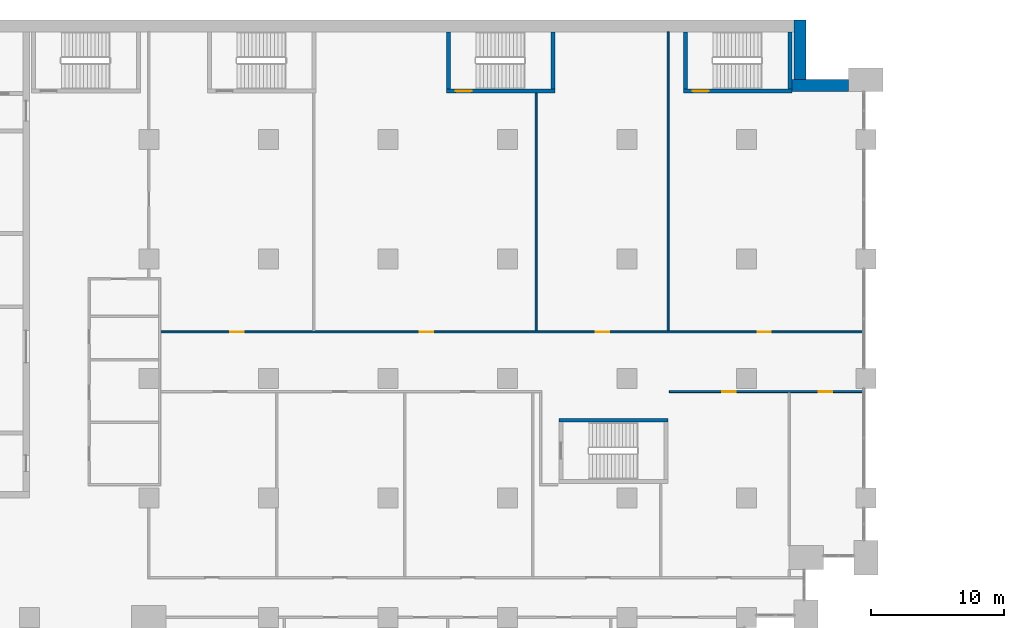
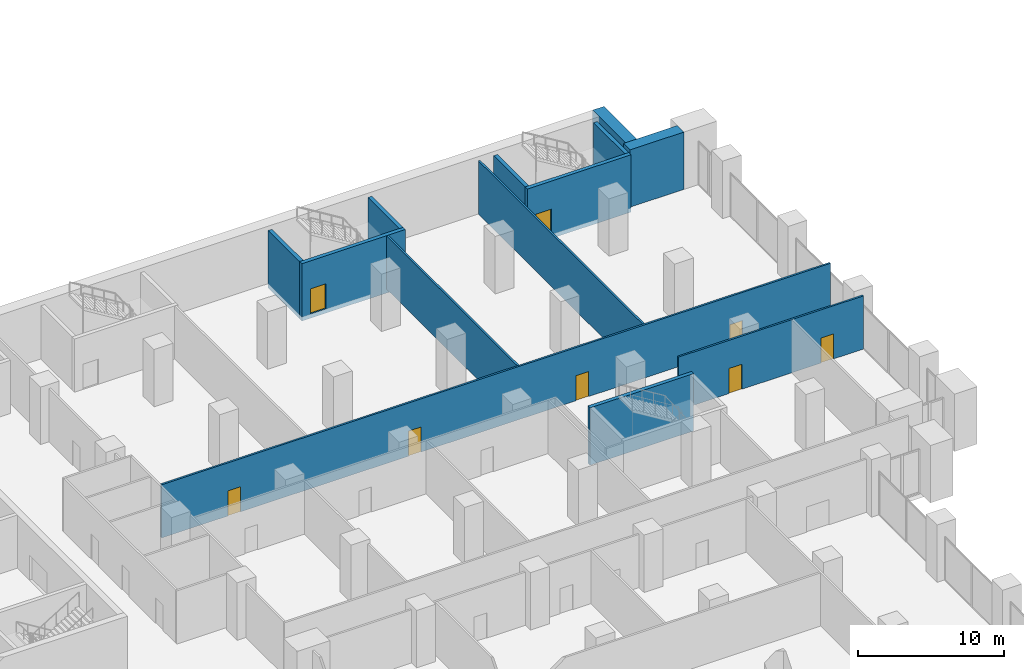
# One storey, part 18 of 31: 13 walls, 8 doors, 8 openings.
"""IFC4 building model written with IfcOpenShell, lengths in metres."""

from ifc_helpers import new_model, si_unit, direction, frame, frame_2d, origin, place, context, subcontext, project, spatial, rectangle, extrude, material, layer, layer_set, type_object, element, fill, save


model = new_model("IFC4")

# Units and contexts
model_context = context("Model", 3, precision=1e-05, world=origin(), true_north=direction((0.0, 1.0)))
body_context = subcontext(model_context, "Body", "Model", "MODEL_VIEW")
ifc_project = project(units=[si_unit("LENGTHUNIT", "METRE"), si_unit("AREAUNIT", "SQUARE_METRE"), si_unit("VOLUMEUNIT", "CUBIC_METRE"), si_unit("PLANEANGLEUNIT", "RADIAN"), si_unit("MASSUNIT", "GRAM", prefix="KILO")], contexts=[model_context])

# Site, building, storey
site_placement = place(None, origin())
site = spatial("IfcSite", under=ifc_project, at=site_placement, CompositionType="ELEMENT")
building_placement = place(site_placement, origin())
building = spatial("IfcBuilding", under=site, at=building_placement, Name="Hunhe Ridgeline Campus", CompositionType="ELEMENT")
storey_placement = place(building_placement, frame((0.0, 0.0, 16.800048828125)))
storey = spatial("IfcBuildingStorey", under=building, at=storey_placement, Name="L03", CompositionType="ELEMENT", Elevation=16.800048828125)

# Wall, openings, doors
ifc_material_1 = material(Name="Plastered blockwork", Category="masonry")
ifc_layer_1 = layer(ifc_material_1, 0.14990234375)
ifc_layer_set_1 = layer_set([ifc_layer_1], Name="Blockwork partition 150")
wall_type_1 = type_object("IfcWallType", Name="Blockwork partition 150", PredefinedType="PARTITIONING", material=ifc_layer_set_1)
wall_1_placement = place(storey_placement, frame((84.199951171875, 71.0, 0.0), z_axis=(0.0, 0.0, 1.0), x_axis=(1.0, 0.0, 0.0)))
wall_1 = element("IfcWall", 1, at=wall_1_placement, inside=storey, type_object=wall_type_1, Name="L03 partition", PredefinedType="PARTITIONING", context=body_context, shape_type="SweptSolid", body=[
    extrude(rectangle(XDim=14.6201171875, YDim=0.14990234375, at=frame_2d((7.31005859375, 0.0))), origin(), (0.0, 0.0, 1.0), 4.449951171875),
])
opening_1_placement = place(wall_1_placement, frame((4.0, 0.0, 0.0)))
opening_1 = element("IfcOpeningElement", 2, at=opening_1_placement, cuts=wall_1, Name="Opening PD431", PredefinedType="OPENING", context=body_context, shape_type="SweptSolid", body=[
    extrude(rectangle(XDim=1.0, YDim=2.10009765625, at=frame_2d((0.5, 1.050048828125))), frame((0.0, 0.074951171875, 0.0), z_axis=(0.0, -1.0, 0.0), x_axis=(1.0, 0.0, 0.0)), (0.0, 0.0, 1.0), 0.14990234375),
])
opening_2_placement = place(wall_1_placement, frame((11.263916015625, 0.0, 0.0)))
opening_2 = element("IfcOpeningElement", 3, at=opening_2_placement, cuts=wall_1, Name="Opening PD432", PredefinedType="OPENING", context=body_context, shape_type="SweptSolid", body=[
    extrude(rectangle(XDim=1.0, YDim=2.10009765625, at=frame_2d((0.5, 1.050048828125))), frame((0.0, 0.074951171875, 0.0), z_axis=(0.0, -1.0, 0.0), x_axis=(1.0, 0.0, 0.0)), (0.0, 0.0, 1.0), 0.14990234375),
])
ifc_material_2 = material(Name="Timber", Category="wood")
door_type_1 = type_object("IfcDoorType", Name="Podium timber door 1000x2100", OperationType="NOTDEFINED", PredefinedType="DOOR", material=ifc_material_2)
door_1_placement = place(opening_1_placement, origin())
door_1 = element("IfcDoor", 4, at=door_1_placement, inside=storey, type_object=door_type_1, Name="Digital Resources Room door", OperationType="SINGLE_SWING_LEFT", OverallHeight=2.10009765625, OverallWidth=1.0, PredefinedType="DOOR", context=body_context, shape_type="SweptSolid", body=[
    extrude(rectangle(XDim=1.0, YDim=2.10009765625, at=frame_2d((0.5, 1.050048828125))), frame((0.0, 0.02490234375, 0.0), z_axis=(0.0, -1.0, 0.0), x_axis=(1.0, 0.0, 0.0)), (0.0, 0.0, 1.0), 0.050048828125),
])
fill(opening_1, door_1)
door_2_placement = place(opening_2_placement, origin())
door_2 = element("IfcDoor", 5, at=door_2_placement, inside=storey, type_object=door_type_1, Name="Photocopy Room door", OperationType="SINGLE_SWING_RIGHT", OverallHeight=2.10009765625, OverallWidth=1.0, PredefinedType="DOOR", context=body_context, shape_type="SweptSolid", body=[
    extrude(rectangle(XDim=1.0, YDim=2.10009765625, at=frame_2d((0.5, 1.050048828125))), frame((0.0, 0.02490234375, 0.0), z_axis=(0.0, -1.0, 0.0), x_axis=(1.0, 0.0, 0.0)), (0.0, 0.0, 1.0), 0.050048828125),
])
fill(opening_2, door_2)

wall_2_placement = place(storey_placement, frame((98.820068359375, 75.5, 0.0), z_axis=(0.0, 0.0, 1.0), x_axis=(-1.0, 0.0, 0.0)))
wall_2 = element("IfcWall", 6, at=wall_2_placement, inside=storey, type_object=wall_type_1, Name="L03 partition", PredefinedType="PARTITIONING", context=body_context, shape_type="SweptSolid", body=[
    extrude(rectangle(XDim=52.945068359375, YDim=0.14990234375, at=frame_2d((26.47265625, 0.0))), origin(), (0.0, 0.0, 1.0), 4.449951171875),
])
opening_3_placement = place(wall_2_placement, frame((46.695068359375, 0.0, 0.0)))
opening_3 = element("IfcOpeningElement", 7, at=opening_3_placement, cuts=wall_2, Name="Opening PD437", PredefinedType="OPENING", context=body_context, shape_type="SweptSolid", body=[
    extrude(rectangle(XDim=1.0, YDim=2.10009765625, at=frame_2d((0.5, 1.050048828125))), frame((0.0, 0.074951171875, 0.0), z_axis=(0.0, -1.0, 0.0), x_axis=(1.0, 0.0, 0.0)), (0.0, 0.0, 1.0), 0.14990234375),
])
opening_4_placement = place(wall_2_placement, frame((32.406005859375, 0.0, 0.0)))
opening_4 = element("IfcOpeningElement", 8, at=opening_4_placement, cuts=wall_2, Name="Opening PD439", PredefinedType="OPENING", context=body_context, shape_type="SweptSolid", body=[
    extrude(rectangle(XDim=1.0, YDim=2.10009765625, at=frame_2d((0.5, 1.050048828125))), frame((0.0, 0.074951171875, 0.0), z_axis=(0.0, -1.0, 0.0), x_axis=(1.0, 0.0, 0.0)), (0.0, 0.0, 1.0), 0.14990234375),
])
opening_5_placement = place(wall_2_placement, frame((19.14794921875, 0.0, 0.0)))
opening_5 = element("IfcOpeningElement", 9, at=opening_5_placement, cuts=wall_2, Name="Opening PD440", PredefinedType="OPENING", context=body_context, shape_type="SweptSolid", body=[
    extrude(rectangle(XDim=1.0, YDim=2.10009765625, at=frame_2d((0.5, 1.050048828125))), frame((0.0, 0.074951171875, 0.0), z_axis=(0.0, -1.0, 0.0), x_axis=(1.0, 0.0, 0.0)), (0.0, 0.0, 1.0), 0.14990234375),
])
opening_6_placement = place(wall_2_placement, frame((6.967041015625, 0.0, 0.0)))
opening_6 = element("IfcOpeningElement", 10, at=opening_6_placement, cuts=wall_2, Name="Opening PD441", PredefinedType="OPENING", context=body_context, shape_type="SweptSolid", body=[
    extrude(rectangle(XDim=1.0, YDim=2.10009765625, at=frame_2d((0.5, 1.050048828125))), frame((0.0, 0.074951171875, 0.0), z_axis=(0.0, -1.0, 0.0), x_axis=(1.0, 0.0, 0.0)), (0.0, 0.0, 1.0), 0.14990234375),
])
door_3_placement = place(opening_3_placement, origin())
door_3 = element("IfcDoor", 11, at=door_3_placement, inside=storey, type_object=door_type_1, Name="Open Stacks door", OperationType="SINGLE_SWING_RIGHT", OverallHeight=2.10009765625, OverallWidth=1.0, PredefinedType="DOOR", context=body_context, shape_type="SweptSolid", body=[
    extrude(rectangle(XDim=1.0, YDim=2.10009765625, at=frame_2d((0.5, 1.050048828125))), frame((0.0, 0.02490234375, 0.0), z_axis=(0.0, -1.0, 0.0), x_axis=(1.0, 0.0, 0.0)), (0.0, 0.0, 1.0), 0.050048828125),
])
fill(opening_3, door_3)
door_4_placement = place(opening_4_placement, origin())
door_4 = element("IfcDoor", 12, at=door_4_placement, inside=storey, type_object=door_type_1, Name="Open Stacks door", OperationType="SINGLE_SWING_RIGHT", OverallHeight=2.10009765625, OverallWidth=1.0, PredefinedType="DOOR", context=body_context, shape_type="SweptSolid", body=[
    extrude(rectangle(XDim=1.0, YDim=2.10009765625, at=frame_2d((0.5, 1.050048828125))), frame((0.0, 0.02490234375, 0.0), z_axis=(0.0, -1.0, 0.0), x_axis=(1.0, 0.0, 0.0)), (0.0, 0.0, 1.0), 0.050048828125),
])
fill(opening_4, door_4)
door_5_placement = place(opening_5_placement, origin())
door_5 = element("IfcDoor", 13, at=door_5_placement, inside=storey, type_object=door_type_1, Name="Open Stacks door", OperationType="SINGLE_SWING_LEFT", OverallHeight=2.10009765625, OverallWidth=1.0, PredefinedType="DOOR", context=body_context, shape_type="SweptSolid", body=[
    extrude(rectangle(XDim=1.0, YDim=2.10009765625, at=frame_2d((0.5, 1.050048828125))), frame((0.0, 0.02490234375, 0.0), z_axis=(0.0, -1.0, 0.0), x_axis=(1.0, 0.0, 0.0)), (0.0, 0.0, 1.0), 0.050048828125),
])
fill(opening_5, door_5)
door_6_placement = place(opening_6_placement, origin())
door_6 = element("IfcDoor", 14, at=door_6_placement, inside=storey, type_object=door_type_1, Name="Library Administration Office door", OperationType="SINGLE_SWING_LEFT", OverallHeight=2.10009765625, OverallWidth=1.0, PredefinedType="DOOR", context=body_context, shape_type="SweptSolid", body=[
    extrude(rectangle(XDim=1.0, YDim=2.10009765625, at=frame_2d((0.5, 1.050048828125))), frame((0.0, 0.02490234375, 0.0), z_axis=(0.0, -1.0, 0.0), x_axis=(1.0, 0.0, 0.0)), (0.0, 0.0, 1.0), 0.050048828125),
])
fill(opening_6, door_6)

# Walls
wall_3_placement = place(storey_placement, frame((74.172119140625, 75.574951171875, 0.0), z_axis=(0.0, 0.0, 1.0), x_axis=(0.0, 1.0, 0.0)))
element("IfcWall", 15, at=wall_3_placement, inside=storey, type_object=wall_type_1, Name="L03 partition", PredefinedType="PARTITIONING", context=body_context, shape_type="SweptSolid", body=[
    extrude(rectangle(XDim=17.925048828125, YDim=0.14990234375, at=frame_2d((8.96240234375, 0.0))), origin(), (0.0, 0.0, 1.0), 4.449951171875),
])
wall_4_placement = place(storey_placement, frame((84.10302734375, 75.574951171875, 0.0), z_axis=(0.0, 0.0, 1.0), x_axis=(0.0, 1.0, 0.0)))
element("IfcWall", 16, at=wall_4_placement, inside=storey, type_object=wall_type_1, Name="L03 partition", PredefinedType="PARTITIONING", context=body_context, shape_type="SweptSolid", body=[
    extrude(rectangle(XDim=22.525146484375, YDim=0.14990234375, at=frame_2d((11.2626953125, 0.0))), origin(), (0.0, 0.0, 1.0), 4.449951171875),
])
ifc_material_3 = material(Name="Concrete C80", Category="concrete")
ifc_layer_2 = layer(ifc_material_3, 0.89990234375)
ifc_layer_set_2 = layer_set([ifc_layer_2], Name="Spine wall 900 Concrete C80")
wall_type_2 = type_object("IfcWallType", Name="Spine wall 900 Concrete C80", PredefinedType="SHEAR", material=ifc_layer_set_2)
wall_5_placement = place(storey_placement, frame((97.699951171875, 94.050048828125, 0.0), z_axis=(0.0, 0.0, 1.0), x_axis=(-1.0, 0.0, 0.0)))
element("IfcWall", 17, at=wall_5_placement, inside=storey, type_object=wall_type_2, Name="Spine wall SW1-2 L03", PredefinedType="SHEAR", context=body_context, shape_type="SweptSolid", body=[
    extrude(rectangle(XDim=4.25048828125, YDim=0.89990234375, at=frame_2d((2.125244140625, 0.0))), origin(), (0.0, 0.0, 1.0), 4.800048828125),
])
wall_6_placement = place(storey_placement, frame((94.050048828125, 93.60009765625, 0.0), z_axis=(0.0, 0.0, 1.0), x_axis=(0.0, 1.0, 0.0)))
element("IfcWall", 18, at=wall_6_placement, inside=storey, type_object=wall_type_2, Name="Spine wall SW1-3 L03", PredefinedType="SHEAR", context=body_context, shape_type="SweptSolid", body=[
    extrude(rectangle(XDim=5.39990234375, YDim=0.89990234375, at=frame_2d((2.699951171875, 0.0))), origin(), (0.0, 0.0, 1.0), 4.800048828125),
])
ifc_layer_3 = layer(ifc_material_3, 0.300048828125)
ifc_layer_set_3 = layer_set([ifc_layer_3], Name="Stair wall 300 reinforced concrete C80")
wall_type_3 = type_object("IfcWallType", Name="Stair wall 300 reinforced concrete C80", PredefinedType="SOLIDWALL", material=ifc_layer_set_3)
wall_7_placement = place(storey_placement, frame((75.89990234375, 68.85009765625, -0.35009765625), z_axis=(0.0, 0.0, 1.0), x_axis=(1.0, 0.0, 0.0)))
element("IfcWall", 19, at=wall_7_placement, inside=storey, type_object=wall_type_3, Name="L03 core wall 11", PredefinedType="SOLIDWALL", context=body_context, shape_type="SweptSolid", body=[
    extrude(rectangle(XDim=8.2001953125, YDim=0.300048828125, at=frame_2d((4.10009765625, 0.0))), origin(), (0.0, 0.0, 1.0), 4.800048828125),
])

# Wall, opening, door
wall_8_placement = place(storey_placement, frame((67.39990234375, 93.64990234375, -0.35009765625), z_axis=(0.0, 0.0, 1.0), x_axis=(1.0, 0.0, 0.0)))
wall_8 = element("IfcWall", 20, at=wall_8_placement, inside=storey, type_object=wall_type_3, Name="L03 core wall 32", PredefinedType="SOLIDWALL", context=body_context, shape_type="SweptSolid", body=[
    extrude(rectangle(XDim=8.2001953125, YDim=0.300048828125, at=frame_2d((4.10009765625, 0.0))), origin(), (0.0, 0.0, 1.0), 4.800048828125),
])
opening_7_placement = place(wall_8_placement, frame((0.699951171875, 0.0, 0.35009765625)))
opening_7 = element("IfcOpeningElement", 21, at=opening_7_placement, cuts=wall_8, Name="Opening CD19", PredefinedType="OPENING", context=body_context, shape_type="SweptSolid", body=[
    extrude(rectangle(XDim=1.199951171875, YDim=2.10009765625, at=frame_2d((0.60009765625, 1.050048828125))), frame((0.0, 0.14990234375, 0.0), z_axis=(0.0, -1.0, 0.0), x_axis=(1.0, 0.0, 0.0)), (0.0, 0.0, 1.0), 0.300048828125),
])
ifc_material_4 = material(Name="Hollow metal fire door leaf")
door_type_2 = type_object("IfcDoorType", Name="Stair door 1200x2100 FD60", OperationType="SINGLE_SWING_LEFT", PredefinedType="DOOR", material=ifc_material_4)
door_7_placement = place(opening_7_placement, frame((1.199951171875, 0.0, 0.0), z_axis=(0.0, 0.0, 1.0), x_axis=(-1.0, 0.0, 0.0)))
door_7 = element("IfcDoor", 22, at=door_7_placement, inside=storey, type_object=door_type_2, Name="L03 door E3", OperationType="SINGLE_SWING_RIGHT", OverallHeight=2.10009765625, OverallWidth=1.199951171875, PredefinedType="DOOR", context=body_context, shape_type="SweptSolid", body=[
    extrude(rectangle(XDim=1.199951171875, YDim=2.10009765625, at=frame_2d((0.60009765625, 1.050048828125))), frame((0.0, 0.02490234375, 0.0), z_axis=(0.0, -1.0, 0.0), x_axis=(1.0, 0.0, 0.0)), (0.0, 0.0, 1.0), 0.050048828125),
])
fill(opening_7, door_7)

wall_9_placement = place(storey_placement, frame((85.25, 93.64990234375, -0.35009765625), z_axis=(0.0, 0.0, 1.0), x_axis=(1.0, 0.0, 0.0)))
wall_9 = element("IfcWall", 23, at=wall_9_placement, inside=storey, type_object=wall_type_3, Name="L03 core wall 33", PredefinedType="SOLIDWALL", context=body_context, shape_type="SweptSolid", body=[
    extrude(rectangle(XDim=8.199951171875, YDim=0.300048828125, at=frame_2d((4.10009765625, 0.0))), origin(), (0.0, 0.0, 1.0), 4.800048828125),
])
opening_8_placement = place(wall_9_placement, frame((0.699951171875, 0.0, 0.35009765625)))
opening_8 = element("IfcOpeningElement", 24, at=opening_8_placement, cuts=wall_9, Name="Opening CD20", PredefinedType="OPENING", context=body_context, shape_type="SweptSolid", body=[
    extrude(rectangle(XDim=1.199951171875, YDim=2.10009765625, at=frame_2d((0.60009765625, 1.050048828125))), frame((0.0, 0.14990234375, 0.0), z_axis=(0.0, -1.0, 0.0), x_axis=(1.0, 0.0, 0.0)), (0.0, 0.0, 1.0), 0.300048828125),
])
door_8_placement = place(opening_8_placement, frame((1.199951171875, 0.0, 0.0), z_axis=(0.0, 0.0, 1.0), x_axis=(-1.0, 0.0, 0.0)))
door_8 = element("IfcDoor", 25, at=door_8_placement, inside=storey, type_object=door_type_2, Name="L03 door E4", OperationType="SINGLE_SWING_LEFT", OverallHeight=2.10009765625, OverallWidth=1.199951171875, PredefinedType="DOOR", context=body_context, shape_type="SweptSolid", body=[
    extrude(rectangle(XDim=1.199951171875, YDim=2.10009765625, at=frame_2d((0.60009765625, 1.050048828125))), frame((0.0, 0.02490234375, 0.0), z_axis=(0.0, -1.0, 0.0), x_axis=(1.0, 0.0, 0.0)), (0.0, 0.0, 1.0), 0.050048828125),
])
fill(opening_8, door_8)

# Walls
for number, where, z_axis, x_axis, name in (
    (26, (67.550048828125, 93.800048828125, -0.35009765625), (0.0, 0.0, 1.0), (0.0, 1.0, 0.0), "L03 core wall 69"),
    (27, (75.449951171875, 93.800048828125, -0.35009765625), (0.0, 0.0, 1.0), (0.0, 1.0, 0.0), "L03 core wall 70"),
    (28, (85.39990234375, 93.800048828125, -0.35009765625), (0.0, 0.0, 1.0), (0.0, 1.0, 0.0), "L03 core wall 73"),
    (29, (93.300048828125, 93.800048828125, -0.35009765625), (0.0, 0.0, 1.0), (0.0, 1.0, 0.0), "L03 core wall 74"),
):
    element("IfcWall", number, at=place(storey_placement, frame(where, z_axis=z_axis, x_axis=x_axis)), inside=storey, type_object=wall_type_3, Name=name, PredefinedType="SOLIDWALL", context=body_context, shape_type="SweptSolid", body=[
        extrude(rectangle(XDim=4.300048828125, YDim=0.300048828125, at=frame_2d((2.14990234375, 0.0))), origin(), (0.0, 0.0, 1.0), 4.800048828125),
    ])

save(model, "model.ifc")
